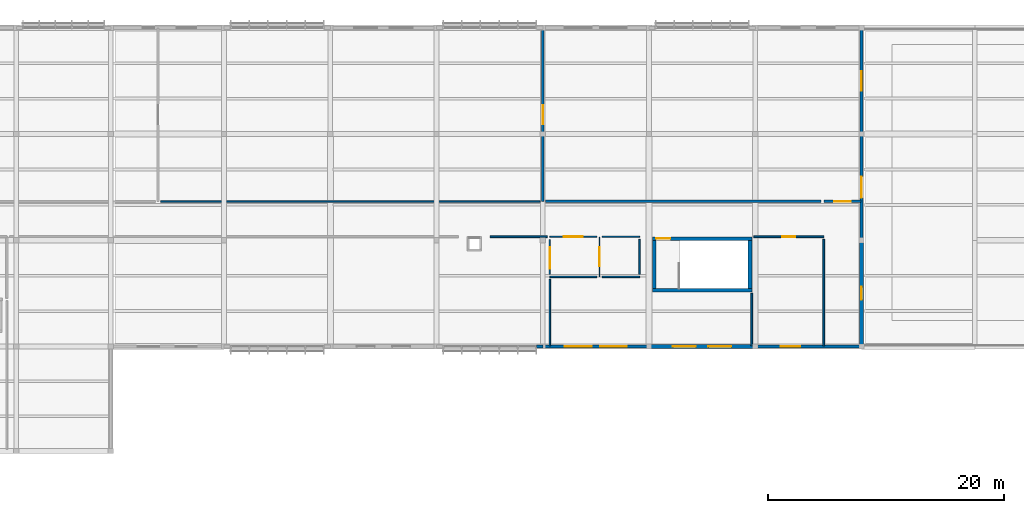
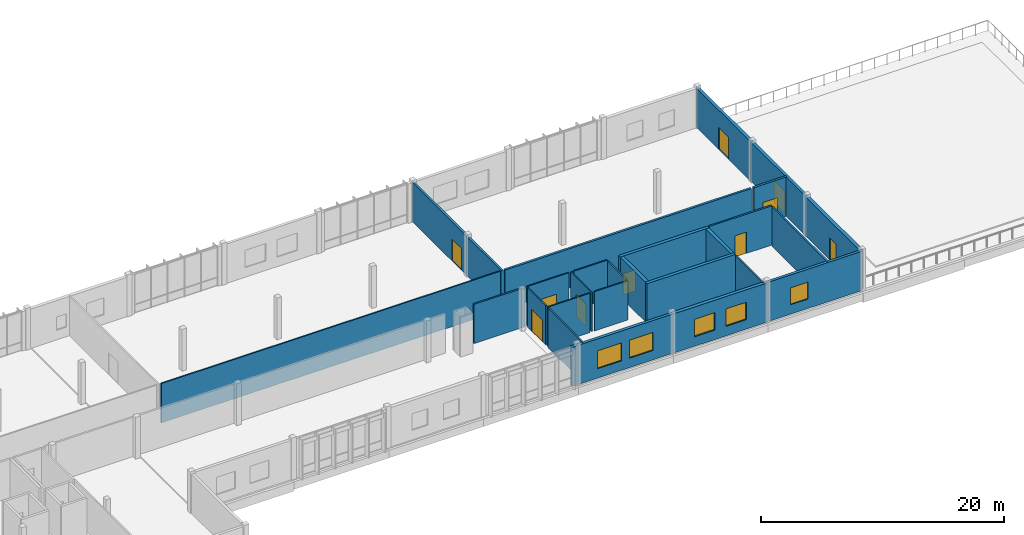
# One storey, part 86 of 94: 27 walls, 10 doors, 5 windows, 15 openings.
"""IFC4 building model written with IfcOpenShell, lengths in metres."""

from ifc_helpers import new_model, si_unit, direction, frame, frame_2d, origin, place, context, subcontext, project, spatial, rectangle, extrude, material, layer, layer_set, type_object, element, fill, save


model = new_model("IFC4")

# Units and contexts
model_context = context("Model", 3, precision=1e-05, world=origin(), true_north=direction((0.0, 1.0)))
body_context = subcontext(model_context, "Body", "Model", "MODEL_VIEW")
ifc_project = project(units=[si_unit("LENGTHUNIT", "METRE"), si_unit("AREAUNIT", "SQUARE_METRE"), si_unit("VOLUMEUNIT", "CUBIC_METRE"), si_unit("PLANEANGLEUNIT", "RADIAN"), si_unit("MASSUNIT", "GRAM", prefix="KILO")], contexts=[model_context])

# Site, building, storey
site_placement = place(None, origin())
site = spatial("IfcSite", under=ifc_project, at=site_placement, CompositionType="ELEMENT")
building_placement = place(site_placement, origin())
building = spatial("IfcBuilding", under=site, at=building_placement, Name="Chiffa Square Polytechnic", CompositionType="ELEMENT")
storey_placement = place(building_placement, frame((0.0, 0.0, 18.0)))
storey = spatial("IfcBuildingStorey", under=building, at=storey_placement, Name="L04", CompositionType="ELEMENT", Elevation=18.0)

# Wall
ifc_material_1 = material(Name="Concrete C40/50", Category="concrete")
ifc_layer_1 = layer(ifc_material_1, 0.300048828125, Name="Concrete C40/50")
ifc_layer_set_1 = layer_set([ifc_layer_1], Name="Concrete C40/50")
wall_type_1 = type_object("IfcWallType", Name="WL-CORE-300", PredefinedType="SHEAR", material=ifc_layer_set_1)
wall_1_placement = place(storey_placement, frame((93.89990234375, 108.550048828125, 0.0), z_axis=(0.0, 0.0, 1.0), x_axis=(1.0, 0.0, 0.0)))
element("IfcWall", 1, at=wall_1_placement, inside=storey, type_object=wall_type_1, Name="Core or enclosure wall WC-CORE-V5B-L04-SOUTH", PredefinedType="SHEAR", context=body_context, shape_type="SweptSolid", body=[
    extrude(rectangle(XDim=8.400146484375, YDim=0.300048828125, at=frame_2d((4.2001953125, 0.0))), origin(), (0.0, 0.0, 1.0), 4.0),
])

# Wall, opening, door
wall_2_placement = place(storey_placement, frame((93.89990234375, 112.949951171875, 0.0), z_axis=(0.0, 0.0, 1.0), x_axis=(1.0, 0.0, 0.0)))
wall_2 = element("IfcWall", 2, at=wall_2_placement, inside=storey, type_object=wall_type_1, Name="Core or enclosure wall WC-CORE-V5B-L04-NORTH", PredefinedType="SHEAR", context=body_context, shape_type="SweptSolid", body=[
    extrude(rectangle(XDim=8.400146484375, YDim=0.300048828125, at=frame_2d((4.2001953125, 0.0))), origin(), (0.0, 0.0, 1.0), 4.0),
])
opening_1_placement = place(wall_2_placement, frame((0.300048828125, 0.0, 0.0)))
opening_1 = element("IfcOpeningElement", 3, at=opening_1_placement, cuts=wall_2, Name="Opening DS-L04-042", PredefinedType="OPENING", context=body_context, shape_type="SweptSolid", body=[
    extrude(rectangle(XDim=1.199951171875, YDim=2.14990234375, at=frame_2d((0.60009765625, 1.074951171875))), frame((0.0, 0.16015625, 0.0), z_axis=(0.0, -1.0, 0.0), x_axis=(1.0, 0.0, 0.0)), (0.0, 0.0, 1.0), 0.320068359375),
])
ifc_material_2 = material(Name="Fire-rated painted steel leaf", Category="steel")
door_type_1 = type_object("IfcDoorType", Name="DR-STAIR-1200", OperationType="NOTDEFINED", PredefinedType="DOOR", material=ifc_material_2)
door_1_placement = place(opening_1_placement, origin())
door_1 = element("IfcDoor", 4, at=door_1_placement, inside=storey, type_object=door_type_1, Name="Enclosure door DS-L04-042", OperationType="SINGLE_SWING_RIGHT", OverallHeight=2.14990234375, OverallWidth=1.199951171875, PredefinedType="DOOR", context=body_context, shape_type="SweptSolid", body=[
    extrude(rectangle(XDim=1.199951171875, YDim=2.14990234375, at=frame_2d((0.60009765625, 1.074951171875))), frame((0.0, 0.02490234375, 0.0), z_axis=(0.0, -1.0, 0.0), x_axis=(1.0, 0.0, 0.0)), (0.0, 0.0, 1.0), 0.050048828125),
])
fill(opening_1, door_1)

# Walls
for number, where, z_axis, x_axis, name in (
    (5, (94.050048828125, 108.699951171875, 0.0), (0.0, 0.0, 1.0), (0.0, 1.0, 0.0), "Core or enclosure wall WC-CORE-V5B-L04-WEST"),
    (6, (102.14990234375, 108.699951171875, 0.0), (0.0, 0.0, 1.0), (0.0, 1.0, 0.0), "Core or enclosure wall WC-CORE-V5B-L04-EAST"),
):
    element("IfcWall", number, at=place(storey_placement, frame(where, z_axis=z_axis, x_axis=x_axis)), inside=storey, type_object=wall_type_1, Name=name, PredefinedType="SHEAR", context=body_context, shape_type="SweptSolid", body=[
        extrude(rectangle(XDim=4.10009765625, YDim=0.300048828125, at=frame_2d((2.050048828125, 0.0))), origin(), (0.0, 0.0, 1.0), 4.0),
    ])
ifc_material_3 = material(Name="Precast concrete C40/50", Category="concrete")
ifc_layer_2 = layer(ifc_material_3, 0.260009765625, Name="Precast concrete C40/50")
ifc_layer_set_2 = layer_set([ifc_layer_2], Name="Precast concrete C40/50")
wall_type_2 = type_object("IfcWallType", Name="WL-EXT-PC260", PredefinedType="SOLIDWALL", material=ifc_layer_set_2)
wall_3_placement = place(storey_placement, frame((84.06005859375, 103.800048828125, 0.0), z_axis=(0.0, 0.0, 1.0), x_axis=(1.0, 0.0, 0.0)))
element("IfcWall", 7, at=wall_3_placement, inside=storey, type_object=wall_type_2, Name="Facade column pier V5-L04-0368R", PredefinedType="SOLIDWALL", context=body_context, shape_type="SweptSolid", body=[
    extrude(rectangle(XDim=0.5400390625, YDim=0.260009765625, at=frame_2d((0.27001953125, 0.0))), origin(), (0.0, 0.0, 1.0), 3.93994140625),
])

# Wall, opening, window
wall_4_placement = place(storey_placement, frame((102.60009765625, 103.800048828125, 0.0), z_axis=(0.0, 0.0, 1.0), x_axis=(1.0, 0.0, 0.0)))
wall_4 = element("IfcWall", 8, at=wall_4_placement, inside=storey, type_object=wall_type_2, Name="Exterior wall WE-V5-L04-0371", PredefinedType="SOLIDWALL", context=body_context, shape_type="SweptSolid", body=[
    extrude(rectangle(XDim=9.0, YDim=0.260009765625, at=frame_2d((4.5, 0.0))), origin(), (0.0, 0.0, 1.0), 3.93994140625),
])
opening_2_placement = place(wall_4_placement, frame((2.175048828125, 0.0, 0.949951171875)))
opening_2 = element("IfcOpeningElement", 9, at=opening_2_placement, cuts=wall_4, Name="Opening W-06", PredefinedType="OPENING", context=body_context, shape_type="SweptSolid", body=[
    extrude(rectangle(XDim=1.64990234375, YDim=1.699951171875, at=frame_2d((0.824951171875, 0.85009765625))), frame((0.0, 0.14013671875, 0.0), z_axis=(0.0, -1.0, 0.0), x_axis=(1.0, 0.0, 0.0)), (0.0, 0.0, 1.0), 0.280029296875),
])
ifc_material_4 = material(Name="Double glazing in thermally broken aluminium frame", Category="aluminium")
window_type_1 = type_object("IfcWindowType", Name="WIN-LAB-1650X1700", PartitioningType="DOUBLE_PANEL_VERTICAL", PredefinedType="WINDOW", material=ifc_material_4)
window_1_placement = place(opening_2_placement, origin())
window_1 = element("IfcWindow", 10, at=window_1_placement, inside=storey, type_object=window_type_1, Name="Facade window WN-L04-0264", OverallHeight=1.699951171875, OverallWidth=1.64990234375, PartitioningType="DOUBLE_PANEL_VERTICAL", PredefinedType="WINDOW", context=body_context, shape_type="SweptSolid", body=[
    extrude(rectangle(XDim=1.64990234375, YDim=1.699951171875, at=frame_2d((0.824951171875, 0.85009765625))), frame((0.0, 0.030029296875, 0.0), z_axis=(0.0, -1.0, 0.0), x_axis=(1.0, 0.0, 0.0)), (0.0, 0.0, 1.0), 0.06005859375),
])
fill(opening_2, window_1)

# Wall, opening, door
wall_5_placement = place(storey_placement, frame((111.60009765625, 112.800048828125, 0.0), z_axis=(0.0, 0.0, 1.0), x_axis=(0.0, 1.0, 0.0)))
wall_5 = element("IfcWall", 11, at=wall_5_placement, inside=storey, type_object=wall_type_2, Name="Exterior wall WE-V5-L04-0373", PredefinedType="SOLIDWALL", context=body_context, shape_type="SweptSolid", body=[
    extrude(rectangle(XDim=9.0, YDim=0.260009765625, at=frame_2d((4.5, 0.0))), origin(), (0.0, 0.0, 1.0), 3.93994140625),
])
opening_3_placement = place(wall_5_placement, frame((3.60009765625, 0.0, 0.0)))
opening_3 = element("IfcOpeningElement", 12, at=opening_3_placement, cuts=wall_5, Name="Opening DT-L04-060", PredefinedType="OPENING", context=body_context, shape_type="SweptSolid", body=[
    extrude(rectangle(XDim=1.800048828125, YDim=2.25, at=frame_2d((0.89990234375, 1.125))), frame((0.0, 0.14013671875, 0.0), z_axis=(0.0, -1.0, 0.0), x_axis=(1.0, 0.0, 0.0)), (0.0, 0.0, 1.0), 0.280029296875),
])
ifc_material_5 = material(Name="Thermally broken aluminium glazed door", Category="aluminium")
door_type_2 = type_object("IfcDoorType", Name="DR-TERR-DBL-1800", OperationType="DOUBLE_DOOR_SINGLE_SWING", PredefinedType="DOOR", material=ifc_material_5)
door_2_placement = place(opening_3_placement, origin())
door_2 = element("IfcDoor", 13, at=door_2_placement, inside=storey, type_object=door_type_2, Name="Exterior door DT-L04-060", OperationType="DOUBLE_DOOR_SINGLE_SWING", OverallHeight=2.25, OverallWidth=1.800048828125, PredefinedType="DOOR", context=body_context, shape_type="SweptSolid", body=[
    extrude(rectangle(XDim=1.800048828125, YDim=2.25, at=frame_2d((0.89990234375, 1.125))), frame((0.0, 0.02490234375, 0.0), z_axis=(0.0, -1.0, 0.0), x_axis=(1.0, 0.0, 0.0)), (0.0, 0.0, 1.0), 0.050048828125),
])
fill(opening_3, door_2)

# Wall, openings, windows
ifc_layer_3 = layer(ifc_material_3, 0.280029296875, Name="Precast concrete C40/50")
ifc_layer_set_3 = layer_set([ifc_layer_3], Name="Precast concrete C40/50")
wall_type_3 = type_object("IfcWallType", Name="WL-EXT-PC280", PredefinedType="SOLIDWALL", material=ifc_layer_set_3)
wall_6_placement = place(storey_placement, frame((84.60009765625, 103.800048828125, 0.0), z_axis=(0.0, 0.0, 1.0), x_axis=(1.0, 0.0, 0.0)))
wall_6 = element("IfcWall", 14, at=wall_6_placement, inside=storey, type_object=wall_type_3, Name="Exterior wall WE-V5-L04-0369", PredefinedType="SOLIDWALL", context=body_context, shape_type="SweptSolid", body=[
    extrude(rectangle(XDim=9.0, YDim=0.280029296875, at=frame_2d((4.5, 0.0))), origin(), (0.0, 0.0, 1.0), 3.93994140625),
])
opening_4_placement = place(wall_6_placement, frame((1.875, 0.0, 0.949951171875)))
opening_4 = element("IfcOpeningElement", 15, at=opening_4_placement, cuts=wall_6, Name="Opening W-02", PredefinedType="OPENING", context=body_context, shape_type="SweptSolid", body=[
    extrude(rectangle(XDim=2.25, YDim=1.800048828125, at=frame_2d((1.125, 0.89990234375))), frame((0.0, 0.14990234375, 0.0), z_axis=(0.0, -1.0, 0.0), x_axis=(1.0, 0.0, 0.0)), (0.0, 0.0, 1.0), 0.300048828125),
])
opening_5_placement = place(wall_6_placement, frame((4.875, 0.0, 0.949951171875)))
opening_5 = element("IfcOpeningElement", 16, at=opening_5_placement, cuts=wall_6, Name="Opening W-02", PredefinedType="OPENING", context=body_context, shape_type="SweptSolid", body=[
    extrude(rectangle(XDim=2.25, YDim=1.800048828125, at=frame_2d((1.125, 0.89990234375))), frame((0.0, 0.14990234375, 0.0), z_axis=(0.0, -1.0, 0.0), x_axis=(1.0, 0.0, 0.0)), (0.0, 0.0, 1.0), 0.300048828125),
])
window_type_2 = type_object("IfcWindowType", Name="WIN-LAB-2250X1800", PartitioningType="DOUBLE_PANEL_VERTICAL", PredefinedType="WINDOW", material=ifc_material_4)
window_2_placement = place(opening_4_placement, origin())
window_2 = element("IfcWindow", 17, at=window_2_placement, inside=storey, type_object=window_type_2, Name="Facade window WN-L04-0260", OverallHeight=1.800048828125, OverallWidth=2.25, PartitioningType="DOUBLE_PANEL_VERTICAL", PredefinedType="WINDOW", context=body_context, shape_type="SweptSolid", body=[
    extrude(rectangle(XDim=2.25, YDim=1.800048828125, at=frame_2d((1.125, 0.89990234375))), frame((0.0, 0.030029296875, 0.0), z_axis=(0.0, -1.0, 0.0), x_axis=(1.0, 0.0, 0.0)), (0.0, 0.0, 1.0), 0.06005859375),
])
fill(opening_4, window_2)
window_3_placement = place(opening_5_placement, origin())
window_3 = element("IfcWindow", 18, at=window_3_placement, inside=storey, type_object=window_type_2, Name="Facade window WN-L04-0261", OverallHeight=1.800048828125, OverallWidth=2.25, PartitioningType="DOUBLE_PANEL_VERTICAL", PredefinedType="WINDOW", context=body_context, shape_type="SweptSolid", body=[
    extrude(rectangle(XDim=2.25, YDim=1.800048828125, at=frame_2d((1.125, 0.89990234375))), frame((0.0, 0.030029296875, 0.0), z_axis=(0.0, -1.0, 0.0), x_axis=(1.0, 0.0, 0.0)), (0.0, 0.0, 1.0), 0.06005859375),
])
fill(opening_5, window_3)

# Wall, opening, door
wall_7_placement = place(storey_placement, frame((111.60009765625, 121.800048828125, 0.0), z_axis=(0.0, 0.0, 1.0), x_axis=(0.0, 1.0, 0.0)))
wall_7 = element("IfcWall", 19, at=wall_7_placement, inside=storey, type_object=wall_type_3, Name="Exterior wall WE-V5-L04-0374", PredefinedType="SOLIDWALL", context=body_context, shape_type="SweptSolid", body=[
    extrude(rectangle(XDim=9.0, YDim=0.280029296875, at=frame_2d((4.5, 0.0))), origin(), (0.0, 0.0, 1.0), 3.93994140625),
])
opening_6_placement = place(wall_7_placement, frame((3.675048828125, 0.0, 0.0)))
opening_6 = element("IfcOpeningElement", 20, at=opening_6_placement, cuts=wall_7, Name="Opening DT-L04-061", PredefinedType="OPENING", context=body_context, shape_type="SweptSolid", body=[
    extrude(rectangle(XDim=1.64990234375, YDim=2.199951171875, at=frame_2d((0.824951171875, 1.10009765625))), frame((0.0, 0.14990234375, 0.0), z_axis=(0.0, -1.0, 0.0), x_axis=(1.0, 0.0, 0.0)), (0.0, 0.0, 1.0), 0.300048828125),
])
door_type_3 = type_object("IfcDoorType", Name="DR-TERR-DBL-1650", OperationType="DOUBLE_DOOR_SINGLE_SWING", PredefinedType="DOOR", material=ifc_material_5)
door_3_placement = place(opening_6_placement, origin())
door_3 = element("IfcDoor", 21, at=door_3_placement, inside=storey, type_object=door_type_3, Name="Exterior door DT-L04-061", OperationType="DOUBLE_DOOR_SINGLE_SWING", OverallHeight=2.199951171875, OverallWidth=1.64990234375, PredefinedType="DOOR", context=body_context, shape_type="SweptSolid", body=[
    extrude(rectangle(XDim=1.64990234375, YDim=2.199951171875, at=frame_2d((0.824951171875, 1.10009765625))), frame((0.0, 0.02490234375, 0.0), z_axis=(0.0, -1.0, 0.0), x_axis=(1.0, 0.0, 0.0)), (0.0, 0.0, 1.0), 0.050048828125),
])
fill(opening_6, door_3)

# Wall, openings, windows
ifc_layer_4 = layer(ifc_material_3, 0.320068359375, Name="Precast concrete C40/50")
ifc_layer_set_4 = layer_set([ifc_layer_4], Name="Precast concrete C40/50")
wall_type_4 = type_object("IfcWallType", Name="WL-EXT-PC320", PredefinedType="SOLIDWALL", material=ifc_layer_set_4)
wall_8_placement = place(storey_placement, frame((93.60009765625, 103.800048828125, 0.0), z_axis=(0.0, 0.0, 1.0), x_axis=(1.0, 0.0, 0.0)))
wall_8 = element("IfcWall", 22, at=wall_8_placement, inside=storey, type_object=wall_type_4, Name="Exterior wall WE-V5-L04-0370", PredefinedType="SOLIDWALL", context=body_context, shape_type="SweptSolid", body=[
    extrude(rectangle(XDim=9.0, YDim=0.320068359375, at=frame_2d((4.5, 0.0))), origin(), (0.0, 0.0, 1.0), 3.93994140625),
])
opening_7_placement = place(wall_8_placement, frame((2.02490234375, 0.0, 0.949951171875)))
opening_7 = element("IfcOpeningElement", 23, at=opening_7_placement, cuts=wall_8, Name="Opening W-04", PredefinedType="OPENING", context=body_context, shape_type="SweptSolid", body=[
    extrude(rectangle(XDim=1.949951171875, YDim=1.75, at=frame_2d((0.97509765625, 0.875))), frame((0.0, 0.169921875, 0.0), z_axis=(0.0, -1.0, 0.0), x_axis=(1.0, 0.0, 0.0)), (0.0, 0.0, 1.0), 0.340087890625),
])
opening_8_placement = place(wall_8_placement, frame((5.02490234375, 0.0, 0.949951171875)))
opening_8 = element("IfcOpeningElement", 24, at=opening_8_placement, cuts=wall_8, Name="Opening W-04", PredefinedType="OPENING", context=body_context, shape_type="SweptSolid", body=[
    extrude(rectangle(XDim=1.949951171875, YDim=1.75, at=frame_2d((0.97509765625, 0.875))), frame((0.0, 0.169921875, 0.0), z_axis=(0.0, -1.0, 0.0), x_axis=(1.0, 0.0, 0.0)), (0.0, 0.0, 1.0), 0.340087890625),
])
window_type_3 = type_object("IfcWindowType", Name="WIN-LAB-1950X1750", PartitioningType="DOUBLE_PANEL_VERTICAL", PredefinedType="WINDOW", material=ifc_material_4)
window_4_placement = place(opening_7_placement, origin())
window_4 = element("IfcWindow", 25, at=window_4_placement, inside=storey, type_object=window_type_3, Name="Facade window WN-L04-0262", OverallHeight=1.75, OverallWidth=1.949951171875, PartitioningType="DOUBLE_PANEL_VERTICAL", PredefinedType="WINDOW", context=body_context, shape_type="SweptSolid", body=[
    extrude(rectangle(XDim=1.949951171875, YDim=1.75, at=frame_2d((0.97509765625, 0.875))), frame((0.0, 0.030029296875, 0.0), z_axis=(0.0, -1.0, 0.0), x_axis=(1.0, 0.0, 0.0)), (0.0, 0.0, 1.0), 0.06005859375),
])
fill(opening_7, window_4)
window_5_placement = place(opening_8_placement, origin())
window_5 = element("IfcWindow", 26, at=window_5_placement, inside=storey, type_object=window_type_3, Name="Facade window WN-L04-0263", OverallHeight=1.75, OverallWidth=1.949951171875, PartitioningType="DOUBLE_PANEL_VERTICAL", PredefinedType="WINDOW", context=body_context, shape_type="SweptSolid", body=[
    extrude(rectangle(XDim=1.949951171875, YDim=1.75, at=frame_2d((0.97509765625, 0.875))), frame((0.0, 0.030029296875, 0.0), z_axis=(0.0, -1.0, 0.0), x_axis=(1.0, 0.0, 0.0)), (0.0, 0.0, 1.0), 0.06005859375),
])
fill(opening_8, window_5)

# Wall, opening, door
wall_9_placement = place(storey_placement, frame((111.60009765625, 103.800048828125, 0.0), z_axis=(0.0, 0.0, 1.0), x_axis=(0.0, 1.0, 0.0)))
wall_9 = element("IfcWall", 27, at=wall_9_placement, inside=storey, type_object=wall_type_4, Name="Exterior wall WE-V5-L04-0372", PredefinedType="SOLIDWALL", context=body_context, shape_type="SweptSolid", body=[
    extrude(rectangle(XDim=9.0, YDim=0.320068359375, at=frame_2d((4.5, 0.0))), origin(), (0.0, 0.0, 1.0), 3.93994140625),
])
opening_9_placement = place(wall_9_placement, frame((3.949951171875, 0.0, 0.0)))
opening_9 = element("IfcOpeningElement", 28, at=opening_9_placement, cuts=wall_9, Name="Opening DT-L04-059", PredefinedType="OPENING", context=body_context, shape_type="SweptSolid", body=[
    extrude(rectangle(XDim=1.10009765625, YDim=2.199951171875, at=frame_2d((0.550048828125, 1.10009765625))), frame((0.0, 0.169921875, 0.0), z_axis=(0.0, -1.0, 0.0), x_axis=(1.0, 0.0, 0.0)), (0.0, 0.0, 1.0), 0.340087890625),
])
door_type_4 = type_object("IfcDoorType", Name="DR-TERR-SGL-1100", OperationType="NOTDEFINED", PredefinedType="DOOR", material=ifc_material_5)
door_4_placement = place(opening_9_placement, origin())
door_4 = element("IfcDoor", 29, at=door_4_placement, inside=storey, type_object=door_type_4, Name="Exterior door DT-L04-059", OperationType="SINGLE_SWING_RIGHT", OverallHeight=2.199951171875, OverallWidth=1.10009765625, PredefinedType="DOOR", context=body_context, shape_type="SweptSolid", body=[
    extrude(rectangle(XDim=1.10009765625, YDim=2.199951171875, at=frame_2d((0.550048828125, 1.10009765625))), frame((0.0, 0.02490234375, 0.0), z_axis=(0.0, -1.0, 0.0), x_axis=(1.0, 0.0, 0.0)), (0.0, 0.0, 1.0), 0.050048828125),
])
fill(opening_9, door_4)

# Walls
ifc_material_6 = material(Name="Gypsum board on steel stud", Category="steel")
ifc_layer_5 = layer(ifc_material_6, 0.125, Name="Gypsum board on steel stud")
ifc_layer_set_5 = layer_set([ifc_layer_5], Name="Gypsum board on steel stud")
wall_type_5 = type_object("IfcWallType", Name="WL-PART-125", PredefinedType="PARTITIONING", material=ifc_layer_set_5)
wall_10_placement = place(storey_placement, frame((52.219970703125, 116.10009765625, 0.0), z_axis=(0.0, 0.0, 1.0), x_axis=(1.0, 0.0, 0.0)))
element("IfcWall", 30, at=wall_10_placement, inside=storey, type_object=wall_type_5, Name="Interior partition WP-V5-L04-0656", PredefinedType="PARTITIONING", context=body_context, shape_type="SweptSolid", body=[
    extrude(rectangle(XDim=32.159912109375, YDim=0.125, at=frame_2d((16.080078125, 0.0))), origin(), (0.0, 0.0, 1.0), 3.93994140625),
])
ifc_layer_6 = layer(ifc_material_6, 0.14501953125, Name="Gypsum board on steel stud")
ifc_layer_set_6 = layer_set([ifc_layer_6], Name="Gypsum board on steel stud")
wall_type_6 = type_object("IfcWallType", Name="WL-PART-145", PredefinedType="PARTITIONING", material=ifc_layer_set_6)
wall_11_placement = place(storey_placement, frame((102.300048828125, 103.85498046875, 0.0), z_axis=(0.0, 0.0, 1.0), x_axis=(0.0, 1.0, 0.0)))
element("IfcWall", 31, at=wall_11_placement, inside=storey, type_object=wall_type_6, Name="Interior partition WP-V5-L04-0621", PredefinedType="PARTITIONING", context=body_context, shape_type="SweptSolid", body=[
    extrude(rectangle(XDim=4.455078125, YDim=0.14501953125, at=frame_2d((2.2275390625, 0.0))), origin(), (0.0, 0.0, 1.0), 3.93994140625),
])
wall_12_placement = place(storey_placement, frame((85.199951171875, 103.85498046875, 0.0), z_axis=(0.0, 0.0, 1.0), x_axis=(0.0, 1.0, 0.0)))
element("IfcWall", 32, at=wall_12_placement, inside=storey, type_object=wall_type_6, Name="Interior partition WP-V5-L04-0657", PredefinedType="PARTITIONING", context=body_context, shape_type="SweptSolid", body=[
    extrude(rectangle(XDim=5.625, YDim=0.14501953125, at=frame_2d((2.8125, 0.0))), origin(), (0.0, 0.0, 1.0), 3.93994140625),
])

# Wall, opening, door
ifc_material_7 = material(Name="Autoclaved aerated concrete blockwork", Category="masonry")
ifc_layer_7 = layer(ifc_material_7, 0.199951171875, Name="Autoclaved aerated concrete blockwork")
ifc_layer_set_7 = layer_set([ifc_layer_7], Name="Autoclaved aerated concrete blockwork")
wall_type_7 = type_object("IfcWallType", Name="WL-PART-EI120-200", PredefinedType="PARTITIONING", material=ifc_layer_set_7)
wall_13_placement = place(storey_placement, frame((108.39990234375, 116.10009765625, 0.0), z_axis=(0.0, 0.0, 1.0), x_axis=(1.0, 0.0, 0.0)))
wall_13 = element("IfcWall", 33, at=wall_13_placement, inside=storey, type_object=wall_type_7, Name="Interior partition WP-V5-L04-0652", PredefinedType="PARTITIONING", context=body_context, shape_type="SweptSolid", body=[
    extrude(rectangle(XDim=3.14501953125, YDim=0.199951171875, at=frame_2d((1.572509765625, 0.0))), origin(), (0.0, 0.0, 1.0), 3.93994140625),
])
opening_10_placement = place(wall_13_placement, frame((0.8720703125, 0.0, 0.0)))
opening_10 = element("IfcOpeningElement", 34, at=opening_10_placement, cuts=wall_13, Name="Opening DI-L04-228", PredefinedType="OPENING", context=body_context, shape_type="SweptSolid", body=[
    extrude(rectangle(XDim=1.39990234375, YDim=2.14990234375, at=frame_2d((0.699951171875, 1.074951171875))), frame((0.0, 0.10986328125, 0.0), z_axis=(0.0, -1.0, 0.0), x_axis=(1.0, 0.0, 0.0)), (0.0, 0.0, 1.0), 0.219970703125),
])
ifc_material_8 = material(Name="Louvred painted steel plant door", Category="steel")
door_type_5 = type_object("IfcDoorType", Name="DR-PLANT-1400", OperationType="DOUBLE_DOOR_SINGLE_SWING", PredefinedType="DOOR", material=ifc_material_8)
door_5_placement = place(opening_10_placement, origin())
door_5 = element("IfcDoor", 35, at=door_5_placement, inside=storey, type_object=door_type_5, Name="Interior room door DI-L04-228", OperationType="DOUBLE_DOOR_SINGLE_SWING", OverallHeight=2.14990234375, OverallWidth=1.39990234375, PredefinedType="DOOR", context=body_context, shape_type="SweptSolid", body=[
    extrude(rectangle(XDim=1.39990234375, YDim=2.14990234375, at=frame_2d((0.699951171875, 1.074951171875))), frame((0.0, 0.02490234375, 0.0), z_axis=(0.0, -1.0, 0.0), x_axis=(1.0, 0.0, 0.0)), (0.0, 0.0, 1.0), 0.050048828125),
])
fill(opening_10, door_5)

wall_14_placement = place(storey_placement, frame((84.60009765625, 116.10009765625, 0.0), z_axis=(0.0, 0.0, 1.0), x_axis=(0.0, 1.0, 0.0)))
wall_14 = element("IfcWall", 36, at=wall_14_placement, inside=storey, type_object=wall_type_7, Name="Interior partition WP-V5-L04-0653", PredefinedType="PARTITIONING", context=body_context, shape_type="SweptSolid", body=[
    extrude(rectangle(XDim=14.64501953125, YDim=0.199951171875, at=frame_2d((7.322509765625, 0.0))), origin(), (0.0, 0.0, 1.0), 3.93994140625),
])
opening_11_placement = place(wall_14_placement, frame((6.52294921875, 0.0, 0.0)))
opening_11 = element("IfcOpeningElement", 37, at=opening_11_placement, cuts=wall_14, Name="Opening DI-L04-229", PredefinedType="OPENING", context=body_context, shape_type="SweptSolid", body=[
    extrude(rectangle(XDim=1.60009765625, YDim=2.199951171875, at=frame_2d((0.800048828125, 1.10009765625))), frame((0.0, 0.10986328125, 0.0), z_axis=(0.0, -1.0, 0.0), x_axis=(1.0, 0.0, 0.0)), (0.0, 0.0, 1.0), 0.219970703125),
])
ifc_material_9 = material(Name="Vision-panel timber laboratory door", Category="wood")
door_type_6 = type_object("IfcDoorType", Name="DR-LAB-DBL-1600", OperationType="DOUBLE_DOOR_SINGLE_SWING", PredefinedType="DOOR", material=ifc_material_9)
door_6_placement = place(opening_11_placement, origin())
door_6 = element("IfcDoor", 38, at=door_6_placement, inside=storey, type_object=door_type_6, Name="Interior room door DI-L04-229", OperationType="DOUBLE_DOOR_SINGLE_SWING", OverallHeight=2.199951171875, OverallWidth=1.60009765625, PredefinedType="DOOR", context=body_context, shape_type="SweptSolid", body=[
    extrude(rectangle(XDim=1.60009765625, YDim=2.199951171875, at=frame_2d((0.800048828125, 1.10009765625))), frame((0.0, 0.02490234375, 0.0), z_axis=(0.0, -1.0, 0.0), x_axis=(1.0, 0.0, 0.0)), (0.0, 0.0, 1.0), 0.050048828125),
])
fill(opening_11, door_6)

# Wall
wall_15_placement = place(storey_placement, frame((84.820068359375, 116.10009765625, 0.0), z_axis=(0.0, 0.0, 1.0), x_axis=(1.0, 0.0, 0.0)))
element("IfcWall", 39, at=wall_15_placement, inside=storey, type_object=wall_type_7, Name="Interior partition WP-V5-L04-0654", PredefinedType="PARTITIONING", context=body_context, shape_type="SweptSolid", body=[
    extrude(rectangle(XDim=23.35986328125, YDim=0.199951171875, at=frame_2d((11.679931640625, 0.0))), origin(), (0.0, 0.0, 1.0), 3.93994140625),
])

# Wall, opening, door
ifc_material_10 = material(Name="Gypsum board on acoustic steel stud", Category="steel")
ifc_layer_8 = layer(ifc_material_10, 0.159912109375, Name="Gypsum board on acoustic steel stud")
ifc_layer_set_8 = layer_set([ifc_layer_8], Name="Gypsum board on acoustic steel stud")
wall_type_8 = type_object("IfcWallType", Name="WL-PART-EI60-160", PredefinedType="PARTITIONING", material=ifc_layer_set_8)
wall_16_placement = place(storey_placement, frame((102.487060546875, 113.10009765625, 0.0), z_axis=(0.0, 0.0, 1.0), x_axis=(1.0, 0.0, 0.0)))
wall_16 = element("IfcWall", 40, at=wall_16_placement, inside=storey, type_object=wall_type_8, Name="Interior partition WP-V5-L04-0619", PredefinedType="PARTITIONING", context=body_context, shape_type="SweptSolid", body=[
    extrude(rectangle(XDim=5.912841796875, YDim=0.159912109375, at=frame_2d((2.95654296875, 0.0))), origin(), (0.0, 0.0, 1.0), 3.93994140625),
])
opening_12_placement = place(wall_16_placement, frame((2.406982421875, 0.0, 0.0)))
opening_12 = element("IfcOpeningElement", 41, at=opening_12_placement, cuts=wall_16, Name="Opening DI-L04-220", PredefinedType="OPENING", context=body_context, shape_type="SweptSolid", body=[
    extrude(rectangle(XDim=1.10009765625, YDim=2.14990234375, at=frame_2d((0.550048828125, 1.074951171875))), frame((0.0, 0.08984375, 0.0), z_axis=(0.0, -1.0, 0.0), x_axis=(1.0, 0.0, 0.0)), (0.0, 0.0, 1.0), 0.179931640625),
])
ifc_material_11 = material(Name="Solid core ash veneer door")
door_type_7 = type_object("IfcDoorType", Name="DR-INT-1100", OperationType="NOTDEFINED", PredefinedType="DOOR", material=ifc_material_11)
door_7_placement = place(opening_12_placement, origin())
door_7 = element("IfcDoor", 42, at=door_7_placement, inside=storey, type_object=door_type_7, Name="Interior room door DI-L04-220", OperationType="SINGLE_SWING_LEFT", OverallHeight=2.14990234375, OverallWidth=1.10009765625, PredefinedType="DOOR", context=body_context, shape_type="SweptSolid", body=[
    extrude(rectangle(XDim=1.10009765625, YDim=2.14990234375, at=frame_2d((0.550048828125, 1.074951171875))), frame((0.0, 0.02490234375, 0.0), z_axis=(0.0, -1.0, 0.0), x_axis=(1.0, 0.0, 0.0)), (0.0, 0.0, 1.0), 0.050048828125),
])
fill(opening_12, door_7)

# Walls
wall_17_placement = place(storey_placement, frame((108.39990234375, 103.85498046875, 0.0), z_axis=(0.0, 0.0, 1.0), x_axis=(0.0, 1.0, 0.0)))
element("IfcWall", 43, at=wall_17_placement, inside=storey, type_object=wall_type_8, Name="Interior partition WP-V5-L04-0620", PredefinedType="PARTITIONING", context=body_context, shape_type="SweptSolid", body=[
    extrude(rectangle(XDim=9.02490234375, YDim=0.159912109375, at=frame_2d((4.512451171875, 0.0))), origin(), (0.0, 0.0, 1.0), 3.93994140625),
])
wall_18_placement = place(storey_placement, frame((80.14599609375, 113.10009765625, 0.0), z_axis=(0.0, 0.0, 1.0), x_axis=(1.0, 0.0, 0.0)))
element("IfcWall", 44, at=wall_18_placement, inside=storey, type_object=wall_type_8, Name="Interior partition WP-V5-L04-0650", PredefinedType="PARTITIONING", context=body_context, shape_type="SweptSolid", body=[
    extrude(rectangle(XDim=4.833984375, YDim=0.159912109375, at=frame_2d((2.4169921875, 0.0))), origin(), (0.0, 0.0, 1.0), 3.93994140625),
])

# Wall, opening, door
ifc_material_12 = material(Name="Moisture-resistant board partition")
ifc_layer_9 = layer(ifc_material_12, 0.1201171875, Name="Moisture-resistant board partition")
ifc_layer_set_9 = layer_set([ifc_layer_9], Name="Moisture-resistant board partition")
wall_type_9 = type_object("IfcWallType", Name="WL-PART-WC-120", PredefinedType="PARTITIONING", material=ifc_layer_set_9)
wall_19_placement = place(storey_placement, frame((89.39990234375, 109.699951171875, 0.0), z_axis=(0.0, 0.0, 1.0), x_axis=(0.0, 1.0, 0.0)))
wall_19 = element("IfcWall", 45, at=wall_19_placement, inside=storey, type_object=wall_type_9, Name="Interior partition WP-V5-L04-0604", PredefinedType="PARTITIONING", context=body_context, shape_type="SweptSolid", body=[
    extrude(rectangle(XDim=3.400146484375, YDim=0.1201171875, at=frame_2d((1.7001953125, 0.0))), origin(), (0.0, 0.0, 1.0), 3.93994140625),
])
opening_13_placement = place(wall_19_placement, frame((0.89990234375, 0.0, 0.0)))
opening_13 = element("IfcOpeningElement", 46, at=opening_13_placement, cuts=wall_19, Name="Opening DI-L04-214", PredefinedType="OPENING", context=body_context, shape_type="SweptSolid", body=[
    extrude(rectangle(XDim=1.60009765625, YDim=2.199951171875, at=frame_2d((0.800048828125, 1.10009765625))), frame((0.0, 0.070068359375, 0.0), z_axis=(0.0, -1.0, 0.0), x_axis=(1.0, 0.0, 0.0)), (0.0, 0.0, 1.0), 0.14013671875),
])
door_8_placement = place(opening_13_placement, origin())
door_8 = element("IfcDoor", 47, at=door_8_placement, inside=storey, type_object=door_type_6, Name="Interior room door DI-L04-214", OperationType="DOUBLE_DOOR_SINGLE_SWING", OverallHeight=2.199951171875, OverallWidth=1.60009765625, PredefinedType="DOOR", context=body_context, shape_type="SweptSolid", body=[
    extrude(rectangle(XDim=1.60009765625, YDim=2.199951171875, at=frame_2d((0.800048828125, 1.10009765625))), frame((0.0, 0.02490234375, 0.0), z_axis=(0.0, -1.0, 0.0), x_axis=(1.0, 0.0, 0.0)), (0.0, 0.0, 1.0), 0.050048828125),
])
fill(opening_13, door_8)

# Walls
for number, where, z_axis, x_axis, name in (
    (48, (89.6201171875, 109.699951171875, 0.0), (0.0, 0.0, 1.0), (1.0, 0.0, 0.0), "Interior partition WP-V5-L04-0605"),
    (49, (89.6201171875, 113.10009765625, 0.0), (0.0, 0.0, 1.0), (1.0, 0.0, 0.0), "Interior partition WP-V5-L04-0606"),
):
    element("IfcWall", number, at=place(storey_placement, frame(where, z_axis=z_axis, x_axis=x_axis)), inside=storey, type_object=wall_type_9, Name=name, PredefinedType="PARTITIONING", context=body_context, shape_type="SweptSolid", body=[
        extrude(rectangle(XDim=3.179931640625, YDim=0.1201171875, at=frame_2d((1.58984375, 0.0))), origin(), (0.0, 0.0, 1.0), 3.93994140625),
    ])
wall_20_placement = place(storey_placement, frame((92.800048828125, 109.919921875, 0.0), z_axis=(0.0, 0.0, 1.0), x_axis=(0.0, 1.0, 0.0)))
element("IfcWall", 50, at=wall_20_placement, inside=storey, type_object=wall_type_9, Name="Interior partition WP-V5-L04-0607", PredefinedType="PARTITIONING", context=body_context, shape_type="SweptSolid", body=[
    extrude(rectangle(XDim=2.9599609375, YDim=0.1201171875, at=frame_2d((1.47998046875, 0.0))), origin(), (0.0, 0.0, 1.0), 3.93994140625),
])

# Wall, opening, door
wall_21_placement = place(storey_placement, frame((85.199951171875, 113.10009765625, 0.0), z_axis=(0.0, 0.0, 1.0), x_axis=(1.0, 0.0, 0.0)))
wall_21 = element("IfcWall", 51, at=wall_21_placement, inside=storey, type_object=wall_type_9, Name="Interior partition WP-V5-L04-0611", PredefinedType="PARTITIONING", context=body_context, shape_type="SweptSolid", body=[
    extrude(rectangle(XDim=3.97998046875, YDim=0.1201171875, at=frame_2d((1.989990234375, 0.0))), origin(), (0.0, 0.0, 1.0), 3.93994140625),
])
opening_14_placement = place(wall_21_placement, frame((1.18994140625, 0.0, 0.0)))
opening_14 = element("IfcOpeningElement", 52, at=opening_14_placement, cuts=wall_21, Name="Opening DI-L04-216", PredefinedType="OPENING", context=body_context, shape_type="SweptSolid", body=[
    extrude(rectangle(XDim=1.60009765625, YDim=2.199951171875, at=frame_2d((0.800048828125, 1.10009765625))), frame((0.0, 0.070068359375, 0.0), z_axis=(0.0, -1.0, 0.0), x_axis=(1.0, 0.0, 0.0)), (0.0, 0.0, 1.0), 0.14013671875),
])
door_9_placement = place(opening_14_placement, origin())
door_9 = element("IfcDoor", 53, at=door_9_placement, inside=storey, type_object=door_type_6, Name="Interior room door DI-L04-216", OperationType="DOUBLE_DOOR_SINGLE_SWING", OverallHeight=2.199951171875, OverallWidth=1.60009765625, PredefinedType="DOOR", context=body_context, shape_type="SweptSolid", body=[
    extrude(rectangle(XDim=1.60009765625, YDim=2.199951171875, at=frame_2d((0.800048828125, 1.10009765625))), frame((0.0, 0.02490234375, 0.0), z_axis=(0.0, -1.0, 0.0), x_axis=(1.0, 0.0, 0.0)), (0.0, 0.0, 1.0), 0.050048828125),
])
fill(opening_14, door_9)

# Wall
wall_22_placement = place(storey_placement, frame((85.199951171875, 109.699951171875, 0.0), z_axis=(0.0, 0.0, 1.0), x_axis=(1.0, 0.0, 0.0)))
element("IfcWall", 54, at=wall_22_placement, inside=storey, type_object=wall_type_9, Name="Interior partition WP-V5-L04-0612", PredefinedType="PARTITIONING", context=body_context, shape_type="SweptSolid", body=[
    extrude(rectangle(XDim=3.97998046875, YDim=0.1201171875, at=frame_2d((1.989990234375, 0.0))), origin(), (0.0, 0.0, 1.0), 3.93994140625),
])

# Wall, opening, door
wall_23_placement = place(storey_placement, frame((85.199951171875, 109.919921875, 0.0), z_axis=(0.0, 0.0, 1.0), x_axis=(0.0, 1.0, 0.0)))
wall_23 = element("IfcWall", 55, at=wall_23_placement, inside=storey, type_object=wall_type_9, Name="Interior partition WP-V5-L04-0613", PredefinedType="PARTITIONING", context=body_context, shape_type="SweptSolid", body=[
    extrude(rectangle(XDim=2.9599609375, YDim=0.1201171875, at=frame_2d((1.47998046875, 0.0))), origin(), (0.0, 0.0, 1.0), 3.93994140625),
])
opening_15_placement = place(wall_23_placement, frame((0.47900390625, 0.0, 0.0)))
opening_15 = element("IfcOpeningElement", 56, at=opening_15_placement, cuts=wall_23, Name="Opening DI-L04-217", PredefinedType="OPENING", context=body_context, shape_type="SweptSolid", body=[
    extrude(rectangle(XDim=1.800048828125, YDim=2.199951171875, at=frame_2d((0.89990234375, 1.10009765625))), frame((0.0, 0.070068359375, 0.0), z_axis=(0.0, -1.0, 0.0), x_axis=(1.0, 0.0, 0.0)), (0.0, 0.0, 1.0), 0.14013671875),
])
ifc_material_13 = material(Name="Solid oak fire door pair")
door_type_8 = type_object("IfcDoorType", Name="DR-CORR-DBL-1800", OperationType="DOUBLE_DOOR_SINGLE_SWING", PredefinedType="DOOR", material=ifc_material_13)
door_10_placement = place(opening_15_placement, origin())
door_10 = element("IfcDoor", 57, at=door_10_placement, inside=storey, type_object=door_type_8, Name="Interior room door DI-L04-217", OperationType="DOUBLE_DOOR_SINGLE_SWING", OverallHeight=2.199951171875, OverallWidth=1.800048828125, PredefinedType="DOOR", context=body_context, shape_type="SweptSolid", body=[
    extrude(rectangle(XDim=1.800048828125, YDim=2.199951171875, at=frame_2d((0.89990234375, 1.10009765625))), frame((0.0, 0.02490234375, 0.0), z_axis=(0.0, -1.0, 0.0), x_axis=(1.0, 0.0, 0.0)), (0.0, 0.0, 1.0), 0.050048828125),
])
fill(opening_15, door_10)

save(model, "model.ifc")
